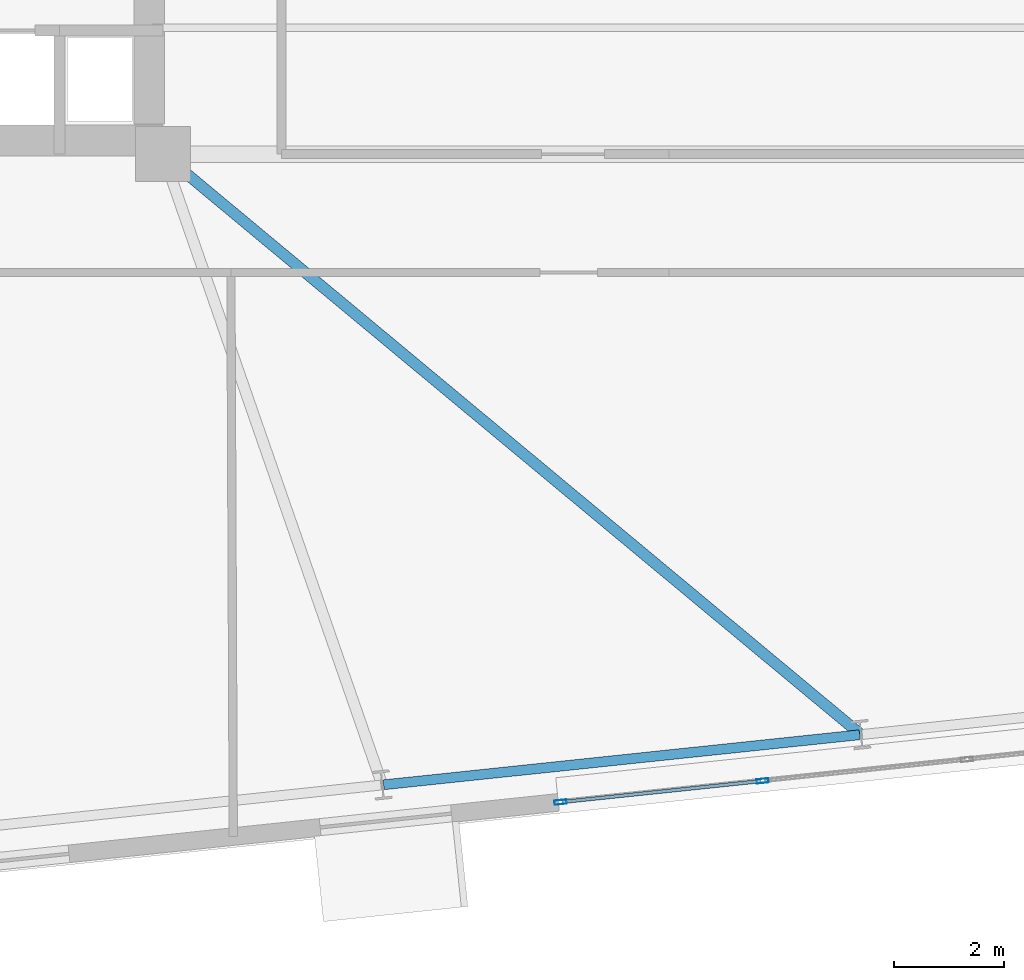
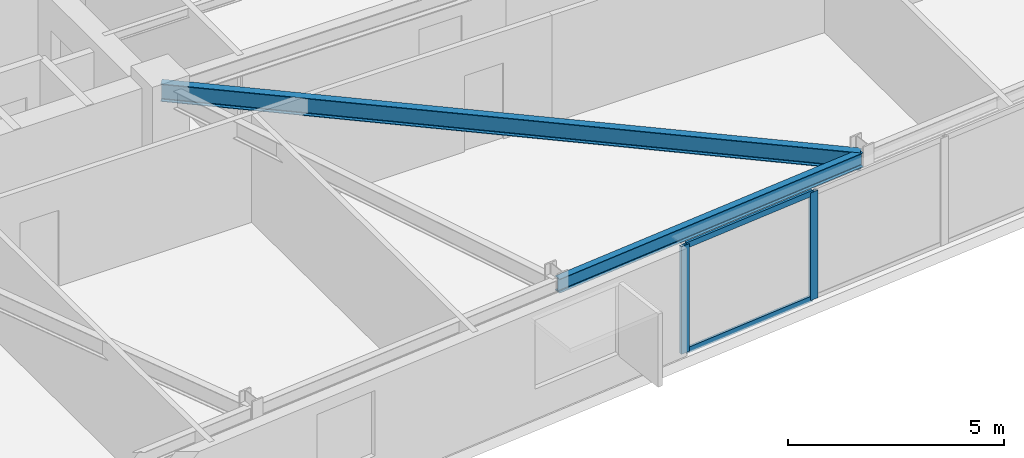
# One storey, part 6 of 23: 4 members, 2 beams, 1 element without a shape of its own.
"""IFC4 building model written with IfcOpenShell, lengths in metres."""

from ifc_helpers import new_model, si_unit, direction, frame, origin, origin_2d, place, context, subcontext, project, spatial, hollow_rectangle, i_section, extrude, material, layer, layer_set, material_profile, profile_set, type_object, element, aggregate, save


model = new_model("IFC4")

# Units and contexts
model_context = context("Model", 3, precision=1e-05, world=origin(), true_north=direction((0.0, 1.0)))
body_context = subcontext(model_context, "Body", "Model", "MODEL_VIEW")
ifc_project = project(units=[si_unit("LENGTHUNIT", "METRE"), si_unit("AREAUNIT", "SQUARE_METRE"), si_unit("VOLUMEUNIT", "CUBIC_METRE"), si_unit("PLANEANGLEUNIT", "RADIAN"), si_unit("MASSUNIT", "GRAM", prefix="KILO")], contexts=[model_context])

# Site, building, storey
site_placement = place(None, origin())
site = spatial("IfcSite", under=ifc_project, at=site_placement, CompositionType="ELEMENT")
building_placement = place(site_placement, origin())
building = spatial("IfcBuilding", under=site, at=building_placement, Name="Qobustan Lattice House", CompositionType="ELEMENT")
storey_placement = place(building_placement, frame((0.0, 0.0, 102.449951171875)))
storey = spatial("IfcBuildingStorey", under=building, at=storey_placement, Name="L28", CompositionType="ELEMENT", Elevation=102.449951171875)

# Beams
ifc_material_1 = material(Name="Steel S355", Category="steel")
ifc_material_profile_1 = material_profile(ifc_material_1, i_section(OverallWidth=0.199951171875, OverallDepth=0.5, WebThickness=0.01025390625, FlangeThickness=0.01611328125, FilletRadius=0.02099609375, at=origin_2d()), Name="IPE500")
ifc_profile_set_1 = profile_set([ifc_material_profile_1], Name="Steel S355")
beam_type_1 = type_object("IfcBeamType", Name="BM-FLG-IPE500", PredefinedType="USERDEFINED", material=ifc_profile_set_1)
beam_1_placement = place(storey_placement, frame((3.467529296875, -16.135009765625, 2.795166015625), z_axis=(-0.768858311844, 0.639419186691, 0.0), x_axis=(-0.639419186691, -0.768858311844, 0.0)))
element("IfcBeam", 1, at=beam_1_placement, inside=storey, type_object=beam_type_1, Name="L28 primary floor girder RAD-S4", ObjectType="GIRDER", PredefinedType="USERDEFINED", context=body_context, shape_type="SweptSolid", body=[
    extrude(i_section(OverallWidth=0.199951171875, OverallDepth=0.5, WebThickness=0.01025390625, FlangeThickness=0.01611328125, FilletRadius=0.02099609375, at=origin_2d()), origin(), (0.0, 0.0, 1.0), 16.450927734375),
])
ifc_material_2 = material(Name="Steel S355", Category="steel")
ifc_material_profile_2 = material_profile(ifc_material_2, i_section(OverallWidth=0.179931640625, OverallDepth=0.39990234375, WebThickness=0.008544921875, FlangeThickness=0.013427734375, FilletRadius=0.02099609375, at=origin_2d()), Name="IPE400")
ifc_profile_set_2 = profile_set([ifc_material_profile_2], Name="Steel S355")
beam_type_2 = type_object("IfcBeamType", Name="BM-SPD-IPE400", PredefinedType="SPANDREL", material=ifc_profile_set_2)
beam_2_placement = place(storey_placement, frame((-5.1904296875, -17.06298828125, 2.844970703125), z_axis=(0.994524503348, 0.104503647022, 0.0), x_axis=(-0.104503647022, 0.994524503348, 0.0)))
element("IfcBeam", 2, at=beam_2_placement, inside=storey, type_object=beam_type_2, Name="L28 perimeter spandrel S3-S4", PredefinedType="SPANDREL", context=body_context, shape_type="SweptSolid", body=[
    extrude(i_section(OverallWidth=0.179931640625, OverallDepth=0.39990234375, WebThickness=0.008544921875, FlangeThickness=0.013427734375, FilletRadius=0.02099609375, at=origin_2d()), origin(), (0.0, 0.0, 1.0), 8.699951171875),
])

# Curtain wall, members
ifc_material_3 = material(Name="Anodised aluminium and low-E glazing", Category="aluminium")
ifc_layer = layer(ifc_material_3, 0.219970703125)
ifc_layer_set = layer_set([ifc_layer], Name="Anodised aluminium and low-E glazing")
curtain_wall_type = type_object("IfcCurtainWallType", Name="CW-IWN-01", PredefinedType="USERDEFINED", material=ifc_layer_set)
curtain_wall_placement = place(storey_placement, origin())
curtain_wall = element("IfcCurtainWall", 3, at=curtain_wall_placement, inside=storey, type_object=curtain_wall_type, Name="L28 IWAN-2 walnut-lined iwan curtain wall", ObjectType="CURTAIN WALL", PredefinedType="USERDEFINED")
ifc_material_4 = material(Name="Anodised aluminium EN AW-6063 T6", Category="aluminium")
ifc_material_profile_3 = material_profile(ifc_material_4, hollow_rectangle(XDim=0.080078125, YDim=0.219970703125, WallThickness=0.0048828125, at=origin_2d()), Name="CWM-220x80")
ifc_profile_set_3 = profile_set([ifc_material_profile_3], Name="Anodised aluminium EN AW-6063 T6")
member_type_1 = type_object("IfcMemberType", Name="CWM-MAIN-220", PredefinedType="MULLION", material=ifc_profile_set_3)
member_1_placement = place(storey_placement, frame((1.6982421875, -16.99267578125, 0.0), z_axis=(0.0, 0.0, 1.0), x_axis=(0.104526295675, -0.994522123189, 0.0)))
member_1 = element("IfcMember", 4, at=member_1_placement, type_object=member_type_1, Name="CW-IW mullion 3", PredefinedType="MULLION", context=body_context, shape_type="SweptSolid", body=[
    extrude(hollow_rectangle(XDim=0.080078125, YDim=0.219970703125, WallThickness=0.0048828125, at=origin_2d()), origin(), (0.0, 0.0, 1.0), 3.045166015625),
])
member_2_placement = place(storey_placement, frame((-1.974853515625, -17.378662109375, 0.0), z_axis=(0.0, 0.0, 1.0), x_axis=(0.104526295675, -0.994522123189, 0.0)))
member_2 = element("IfcMember", 5, at=member_2_placement, type_object=member_type_1, Name="CW-IW mullion 4", PredefinedType="MULLION", context=body_context, shape_type="SweptSolid", body=[
    extrude(hollow_rectangle(XDim=0.080078125, YDim=0.219970703125, WallThickness=0.0048828125, at=origin_2d()), origin(), (0.0, 0.0, 1.0), 3.045166015625),
])
ifc_material_5 = material(Name="Anodised aluminium EN AW-6063 T6", Category="aluminium")
ifc_material_profile_4 = material_profile(ifc_material_5, hollow_rectangle(XDim=0.06494140625, YDim=0.159912109375, WallThickness=0.00390625, at=origin_2d()), Name="CWT-160x65")
ifc_profile_set_4 = profile_set([ifc_material_profile_4], Name="Anodised aluminium EN AW-6063 T6")
member_type_2 = type_object("IfcMemberType", Name="CWT-HOR-160", PredefinedType="USERDEFINED", material=ifc_profile_set_4)
member_3_placement = place(storey_placement, frame((1.658447265625, -16.996826171875, 0.032470703125), z_axis=(-0.99452210074, -0.104526509263, 0.0), x_axis=(0.104526509263, -0.99452210074, 0.0)))
member_3 = element("IfcMember", 6, at=member_3_placement, type_object=member_type_2, Name="CW-IW transom 3.1", ObjectType="TRANSOM", PredefinedType="USERDEFINED", context=body_context, shape_type="SweptSolid", body=[
    extrude(hollow_rectangle(XDim=0.06494140625, YDim=0.159912109375, WallThickness=0.00390625, at=origin_2d()), origin(), (0.0, 0.0, 1.0), 3.61328125),
])
member_4_placement = place(storey_placement, frame((1.658447265625, -16.996826171875, 3.012451171875), z_axis=(-0.99452210074, -0.104526509263, 0.0), x_axis=(0.104526509263, -0.99452210074, 0.0)))
member_4 = element("IfcMember", 7, at=member_4_placement, type_object=member_type_2, Name="CW-IW transom 3.2", ObjectType="TRANSOM", PredefinedType="USERDEFINED", context=body_context, shape_type="SweptSolid", body=[
    extrude(hollow_rectangle(XDim=0.06494140625, YDim=0.159912109375, WallThickness=0.00390625, at=origin_2d()), origin(), (0.0, 0.0, 1.0), 3.61328125),
])
aggregate(curtain_wall, [member_1, member_2, member_3, member_4])

save(model, "model.ifc")
